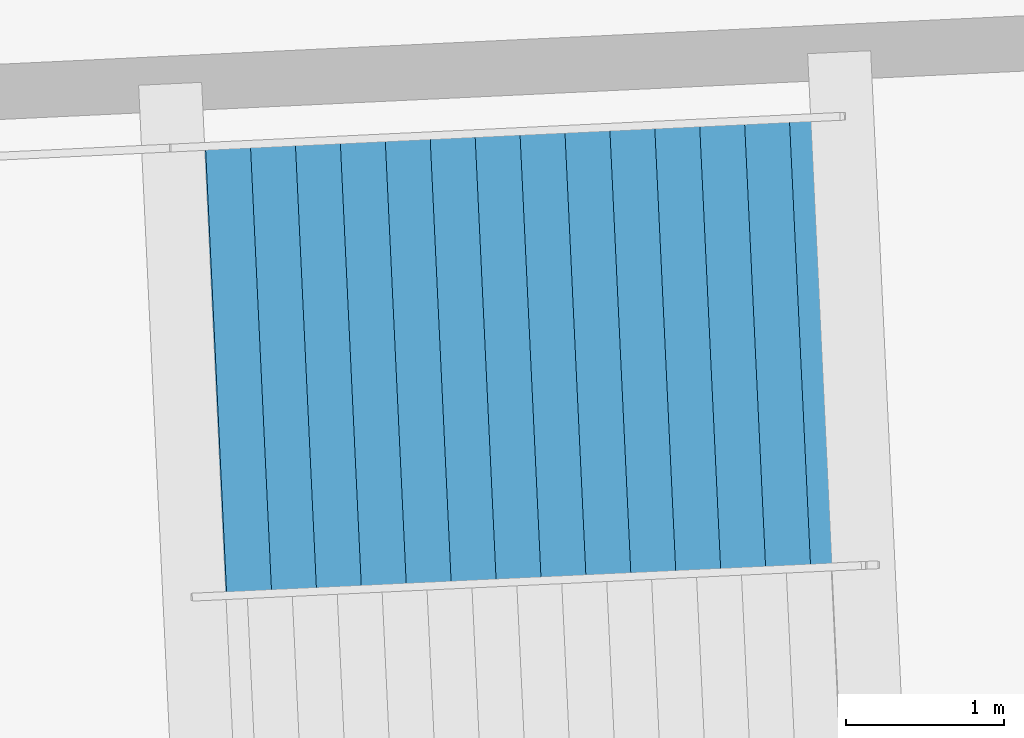
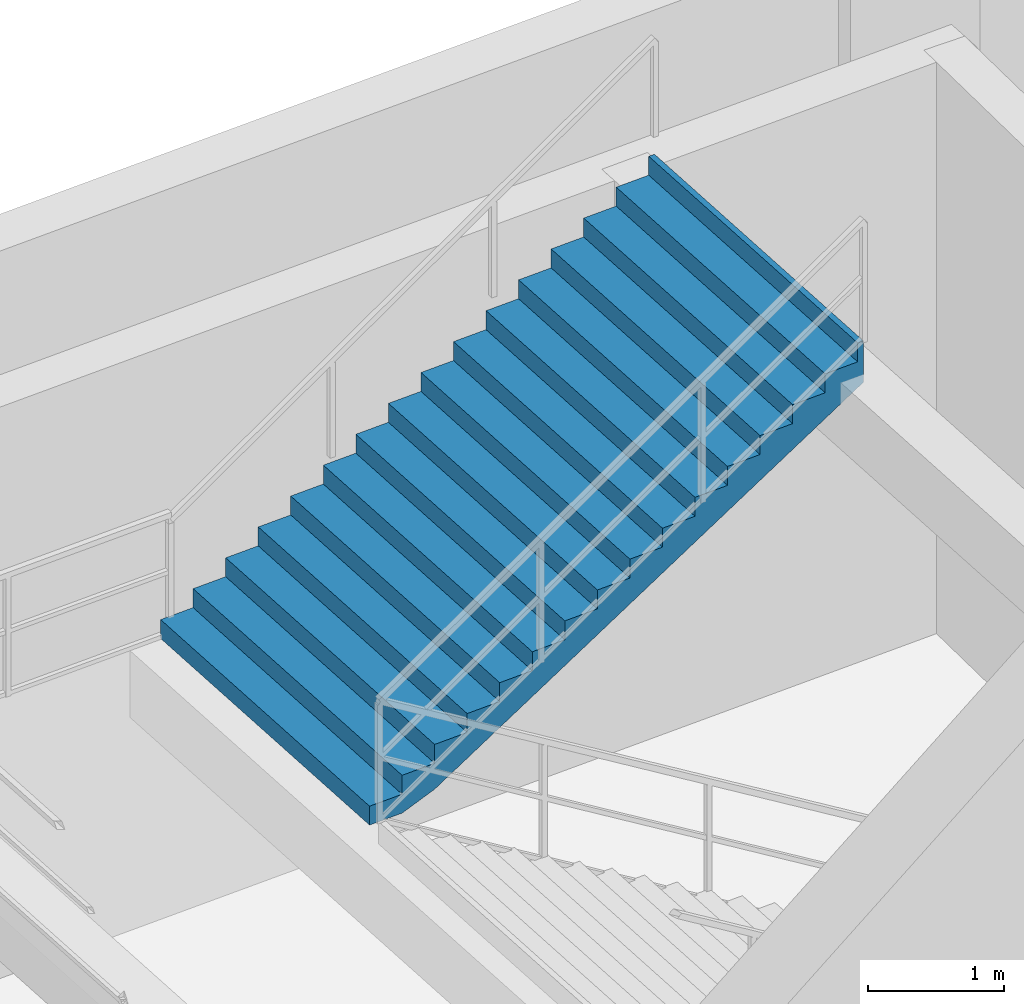
# One storey, part 37 of 49: 1 stair flight, 1 element without a shape of its own.
"""IFC4 building model written with IfcOpenShell, lengths in metres."""

from ifc_helpers import new_model, si_unit, direction, frame, origin, place, context, subcontext, project, spatial, polygons, material, type_object, element, aggregate, save


model = new_model("IFC4")

# Units and contexts
model_context = context("Model", 3, precision=1e-05, world=origin(), true_north=direction((0.0, 1.0)))
body_context = subcontext(model_context, "Body", "Model", "MODEL_VIEW")
ifc_project = project(units=[si_unit("LENGTHUNIT", "METRE"), si_unit("AREAUNIT", "SQUARE_METRE"), si_unit("VOLUMEUNIT", "CUBIC_METRE"), si_unit("PLANEANGLEUNIT", "RADIAN"), si_unit("MASSUNIT", "GRAM", prefix="KILO")], contexts=[model_context])

# Site, building, storey
site_placement = place(None, origin())
site = spatial("IfcSite", under=ifc_project, at=site_placement, CompositionType="ELEMENT")
building_placement = place(site_placement, origin())
building = spatial("IfcBuilding", under=site, at=building_placement, Name="Kazemori Nagisa Stadium", CompositionType="ELEMENT")
storey_placement = place(building_placement, frame((0.0, 0.0, -5.43994140625)))
storey = spatial("IfcBuildingStorey", under=building, at=storey_placement, Name="B1", CompositionType="ELEMENT", Elevation=-5.43994140625)

# Stair, stair flight
ifc_material = material(Name="Concrete C36/45 (Fc36)", Category="concrete")
stair_type = type_object("IfcStairType", Name="Stair_CORE_32", PredefinedType="TWO_STRAIGHT_RUN_STAIR", material=ifc_material)
stair_placement = place(storey_placement, origin())
stair = element("IfcStair", 1, at=stair_placement, inside=storey, type_object=stair_type, Name="Exit stair ST05 B1", PredefinedType="TWO_STRAIGHT_RUN_STAIR")
stair_flight_type = type_object("IfcStairFlightType", Name="Flight_CORE_16", PredefinedType="STRAIGHT", material=ifc_material)
stair_flight_placement = place(storey_placement, frame((114.930419921875, 183.20458984375, 2.719970703125), z_axis=(0.0, 0.0, 1.0), x_axis=(0.99888410244, 0.047228697771, 0.0)))
stair_flight = element("IfcStairFlight", 2, at=stair_flight_placement, type_object=stair_flight_type, Name="Exit stair ST05 B1 flight 2", NumberOfRisers=16, NumberOfTreads=15, PredefinedType="STRAIGHT", RiserHeight=0.17, TreadLength=0.285, context=body_context, shape_type="Tessellation", body=[
    polygons([(0.0, -1.425048828125, 0.0), (0.0, -1.425048828125, 0.169921875), (0.284912109375, -1.425048828125, 0.169921875), (0.284912109375, -1.425048828125, 0.340087890625), (0.570068359375, -1.425048828125, 0.340087890625), (0.570068359375, -1.425048828125, 0.510009765625), (0.85498046875, -1.425048828125, 0.510009765625), (0.85498046875, -1.425048828125, 0.679931640625), (1.139892578125, -1.425048828125, 0.679931640625), (1.139892578125, -1.425048828125, 0.85009765625), (1.425048828125, -1.425048828125, 0.85009765625), (1.425048828125, -1.425048828125, 1.02001953125), (1.7099609375, -1.425048828125, 1.02001953125), (1.7099609375, -1.425048828125, 1.18994140625), (1.9951171875, -1.425048828125, 1.18994140625), (1.9951171875, -1.425048828125, 1.360107421875), (2.280029296875, -1.425048828125, 1.360107421875), (2.280029296875, -1.425048828125, 1.530029296875), (2.56494140625, -1.425048828125, 1.530029296875), (2.56494140625, -1.425048828125, 1.699951171875), (2.85009765625, -1.425048828125, 1.699951171875), (2.85009765625, -1.425048828125, 1.8701171875), (3.135009765625, -1.425048828125, 1.8701171875), (3.135009765625, -1.425048828125, 2.0400390625), (3.419921875, -1.425048828125, 2.0400390625), (3.419921875, -1.425048828125, 2.2099609375), (3.705078125, -1.425048828125, 2.2099609375), (3.705078125, -1.425048828125, 2.3798828125), (3.989990234375, -1.425048828125, 2.3798828125), (3.989990234375, -1.425048828125, 2.550048828125), (4.27490234375, -1.425048828125, 2.550048828125), (4.27490234375, -1.425048828125, 2.719970703125), (4.324951171875, -1.425048828125, 2.719970703125), (4.324951171875, -1.425048828125, 2.346923828125), (4.27490234375, -1.425048828125, 2.317138671875), (3.989990234375, -1.425048828125, 2.147216796875), (3.705078125, -1.425048828125, 1.977294921875), (3.419921875, -1.425048828125, 1.80712890625), (3.135009765625, -1.425048828125, 1.63720703125), (2.85009765625, -1.425048828125, 1.46728515625), (2.56494140625, -1.425048828125, 1.297119140625), (2.280029296875, -1.425048828125, 1.127197265625), (1.9951171875, -1.425048828125, 0.957275390625), (1.7099609375, -1.425048828125, 0.787109375), (1.425048828125, -1.425048828125, 0.6171875), (1.139892578125, -1.425048828125, 0.447265625), (0.85498046875, -1.425048828125, 0.277099609375), (0.570068359375, -1.425048828125, 0.107177734375), (0.284912109375, -1.425048828125, 0.0), (0.0, -0.08544921875, 0.0), (0.0, -0.08544921875, 0.169921875), (0.284912109375, -0.08544921875, 0.169921875), (0.284912109375, -0.08544921875, 0.340087890625), (0.570068359375, -0.08544921875, 0.340087890625), (0.570068359375, -0.08544921875, 0.510009765625), (0.85498046875, -0.08544921875, 0.510009765625), (0.85498046875, -0.08544921875, 0.679931640625), (1.139892578125, -0.08544921875, 0.679931640625), (1.139892578125, -0.08544921875, 0.85009765625), (1.425048828125, -0.08544921875, 0.85009765625), (1.425048828125, -0.08544921875, 1.02001953125), (1.7099609375, -0.08544921875, 1.02001953125), (1.7099609375, -0.08544921875, 1.18994140625), (1.9951171875, -0.08544921875, 1.18994140625), (1.9951171875, -0.08544921875, 1.360107421875), (2.280029296875, -0.08544921875, 1.360107421875), (2.280029296875, -0.08544921875, 1.530029296875), (2.56494140625, -0.08544921875, 1.530029296875), (2.56494140625, -0.08544921875, 1.699951171875), (2.85009765625, -0.08544921875, 1.699951171875), (2.85009765625, -0.08544921875, 1.8701171875), (3.135009765625, -0.08544921875, 1.8701171875), (3.135009765625, -0.08544921875, 2.0400390625), (3.419921875, -0.08544921875, 2.0400390625), (3.419921875, -0.08544921875, 2.2099609375), (3.705078125, -0.08544921875, 2.2099609375), (3.705078125, -0.08544921875, 2.3798828125), (3.989990234375, -0.08544921875, 2.3798828125), (3.989990234375, -0.08544921875, 2.550048828125), (4.27490234375, -0.08544921875, 2.550048828125), (4.27490234375, -0.08544921875, 2.719970703125), (4.324951171875, -0.08544921875, 2.719970703125), (4.324951171875, -0.08544921875, 2.346923828125), (4.27490234375, -0.08544921875, 2.317138671875), (3.989990234375, -0.08544921875, 2.147216796875), (3.705078125, -0.08544921875, 1.977294921875), (3.419921875, -0.08544921875, 1.80712890625), (3.135009765625, -0.08544921875, 1.63720703125), (2.85009765625, -0.08544921875, 1.46728515625), (2.56494140625, -0.08544921875, 1.297119140625), (2.280029296875, -0.08544921875, 1.127197265625), (1.9951171875, -0.08544921875, 0.957275390625), (1.7099609375, -0.08544921875, 0.787109375), (1.425048828125, -0.08544921875, 0.6171875), (1.139892578125, -0.08544921875, 0.447265625), (0.85498046875, -0.08544921875, 0.277099609375), (0.570068359375, -0.08544921875, 0.107177734375), (0.284912109375, -0.08544921875, 0.0), (0.0, 0.0, 0.0), (0.0, 0.0, 0.169921875), (0.284912109375, 0.0, 0.169921875), (0.284912109375, 0.0, 0.340087890625), (0.570068359375, 0.0, 0.340087890625), (0.570068359375, 0.0, 0.510009765625), (0.85498046875, 0.0, 0.510009765625), (0.85498046875, 0.0, 0.679931640625), (1.139892578125, 0.0, 0.679931640625), (1.139892578125, 0.0, 0.85009765625), (1.425048828125, 0.0, 0.85009765625), (1.425048828125, 0.0, 1.02001953125), (1.7099609375, 0.0, 1.02001953125), (1.7099609375, 0.0, 1.18994140625), (1.9951171875, 0.0, 1.18994140625), (1.9951171875, 0.0, 1.360107421875), (2.280029296875, 0.0, 1.360107421875), (2.280029296875, 0.0, 1.530029296875), (2.56494140625, 0.0, 1.530029296875), (2.56494140625, 0.0, 1.699951171875), (2.85009765625, 0.0, 1.699951171875), (2.85009765625, 0.0, 1.8701171875), (3.135009765625, 0.0, 1.8701171875), (3.135009765625, 0.0, 2.0400390625), (3.419921875, 0.0, 2.0400390625), (3.419921875, 0.0, 2.2099609375), (3.705078125, 0.0, 2.2099609375), (3.705078125, 0.0, 2.3798828125), (3.989990234375, 0.0, 2.3798828125), (3.989990234375, 0.0, 2.550048828125), (4.27490234375, 0.0, 2.550048828125), (4.27490234375, 0.0, 2.719970703125), (4.324951171875, 0.0, 2.719970703125), (4.324951171875, 0.0, 2.346923828125), (4.27490234375, 0.0, 2.317138671875), (3.989990234375, 0.0, 2.147216796875), (3.705078125, 0.0, 1.977294921875), (3.419921875, 0.0, 1.80712890625), (3.135009765625, 0.0, 1.63720703125), (2.85009765625, 0.0, 1.46728515625), (2.56494140625, 0.0, 1.297119140625), (2.280029296875, 0.0, 1.127197265625), (1.9951171875, 0.0, 0.957275390625), (1.7099609375, 0.0, 0.787109375), (1.425048828125, 0.0, 0.6171875), (1.139892578125, 0.0, 0.447265625), (0.85498046875, 0.0, 0.277099609375), (0.570068359375, 0.0, 0.107177734375), (0.284912109375, 0.0, 0.0), (0.0, 0.08544921875, 0.0), (0.0, 0.08544921875, 0.169921875), (0.284912109375, 0.08544921875, 0.169921875), (0.284912109375, 0.08544921875, 0.340087890625), (0.570068359375, 0.08544921875, 0.340087890625), (0.570068359375, 0.08544921875, 0.510009765625), (0.85498046875, 0.08544921875, 0.510009765625), (0.85498046875, 0.08544921875, 0.679931640625), (1.139892578125, 0.08544921875, 0.679931640625), (1.139892578125, 0.08544921875, 0.85009765625), (1.425048828125, 0.08544921875, 0.85009765625), (1.425048828125, 0.08544921875, 1.02001953125), (1.7099609375, 0.08544921875, 1.02001953125), (1.7099609375, 0.08544921875, 1.18994140625), (1.9951171875, 0.08544921875, 1.18994140625), (1.9951171875, 0.08544921875, 1.360107421875), (2.280029296875, 0.08544921875, 1.360107421875), (2.280029296875, 0.08544921875, 1.530029296875), (2.56494140625, 0.08544921875, 1.530029296875), (2.56494140625, 0.08544921875, 1.699951171875), (2.85009765625, 0.08544921875, 1.699951171875), (2.85009765625, 0.08544921875, 1.8701171875), (3.135009765625, 0.08544921875, 1.8701171875), (3.135009765625, 0.08544921875, 2.0400390625), (3.419921875, 0.08544921875, 2.0400390625), (3.419921875, 0.08544921875, 2.2099609375), (3.705078125, 0.08544921875, 2.2099609375), (3.705078125, 0.08544921875, 2.3798828125), (3.989990234375, 0.08544921875, 2.3798828125), (3.989990234375, 0.08544921875, 2.550048828125), (4.27490234375, 0.08544921875, 2.550048828125), (4.27490234375, 0.08544921875, 2.719970703125), (4.324951171875, 0.08544921875, 2.719970703125), (4.324951171875, 0.08544921875, 2.346923828125), (4.27490234375, 0.08544921875, 2.317138671875), (3.989990234375, 0.08544921875, 2.147216796875), (3.705078125, 0.08544921875, 1.977294921875), (3.419921875, 0.08544921875, 1.80712890625), (3.135009765625, 0.08544921875, 1.63720703125), (2.85009765625, 0.08544921875, 1.46728515625), (2.56494140625, 0.08544921875, 1.297119140625), (2.280029296875, 0.08544921875, 1.127197265625), (1.9951171875, 0.08544921875, 0.957275390625), (1.7099609375, 0.08544921875, 0.787109375), (1.425048828125, 0.08544921875, 0.6171875), (1.139892578125, 0.08544921875, 0.447265625), (0.85498046875, 0.08544921875, 0.277099609375), (0.570068359375, 0.08544921875, 0.107177734375), (0.284912109375, 0.08544921875, 0.0), (0.0, 1.425048828125, 0.0), (0.0, 1.425048828125, 0.169921875), (0.284912109375, 1.425048828125, 0.169921875), (0.284912109375, 1.425048828125, 0.340087890625), (0.570068359375, 1.425048828125, 0.340087890625), (0.570068359375, 1.425048828125, 0.510009765625), (0.85498046875, 1.425048828125, 0.510009765625), (0.85498046875, 1.425048828125, 0.679931640625), (1.139892578125, 1.425048828125, 0.679931640625), (1.139892578125, 1.425048828125, 0.85009765625), (1.425048828125, 1.425048828125, 0.85009765625), (1.425048828125, 1.425048828125, 1.02001953125), (1.7099609375, 1.425048828125, 1.02001953125), (1.7099609375, 1.425048828125, 1.18994140625), (1.9951171875, 1.425048828125, 1.18994140625), (1.9951171875, 1.425048828125, 1.360107421875), (2.280029296875, 1.425048828125, 1.360107421875), (2.280029296875, 1.425048828125, 1.530029296875), (2.56494140625, 1.425048828125, 1.530029296875), (2.56494140625, 1.425048828125, 1.699951171875), (2.85009765625, 1.425048828125, 1.699951171875), (2.85009765625, 1.425048828125, 1.8701171875), (3.135009765625, 1.425048828125, 1.8701171875), (3.135009765625, 1.425048828125, 2.0400390625), (3.419921875, 1.425048828125, 2.0400390625), (3.419921875, 1.425048828125, 2.2099609375), (3.705078125, 1.425048828125, 2.2099609375), (3.705078125, 1.425048828125, 2.3798828125), (3.989990234375, 1.425048828125, 2.3798828125), (3.989990234375, 1.425048828125, 2.550048828125), (4.27490234375, 1.425048828125, 2.550048828125), (4.27490234375, 1.425048828125, 2.719970703125), (4.324951171875, 1.425048828125, 2.719970703125), (4.324951171875, 1.425048828125, 2.346923828125), (4.27490234375, 1.425048828125, 2.317138671875), (3.989990234375, 1.425048828125, 2.147216796875), (3.705078125, 1.425048828125, 1.977294921875), (3.419921875, 1.425048828125, 1.80712890625), (3.135009765625, 1.425048828125, 1.63720703125), (2.85009765625, 1.425048828125, 1.46728515625), (2.56494140625, 1.425048828125, 1.297119140625), (2.280029296875, 1.425048828125, 1.127197265625), (1.9951171875, 1.425048828125, 0.957275390625), (1.7099609375, 1.425048828125, 0.787109375), (1.425048828125, 1.425048828125, 0.6171875), (1.139892578125, 1.425048828125, 0.447265625), (0.85498046875, 1.425048828125, 0.277099609375), (0.570068359375, 1.425048828125, 0.107177734375), (0.284912109375, 1.425048828125, 0.0)], [[[1, 2, 51]], [[1, 51, 50]], [[2, 3, 52]], [[2, 52, 51]], [[3, 4, 53]], [[3, 53, 52]], [[4, 5, 54]], [[4, 54, 53]], [[5, 6, 55]], [[5, 55, 54]], [[6, 7, 56]], [[6, 56, 55]], [[7, 8, 57]], [[7, 57, 56]], [[8, 9, 58]], [[8, 58, 57]], [[9, 10, 59]], [[9, 59, 58]], [[10, 11, 60]], [[10, 60, 59]], [[11, 12, 61]], [[11, 61, 60]], [[12, 13, 62]], [[12, 62, 61]], [[13, 14, 63]], [[13, 63, 62]], [[14, 15, 64]], [[14, 64, 63]], [[15, 16, 65]], [[15, 65, 64]], [[16, 17, 66]], [[16, 66, 65]], [[17, 18, 67]], [[17, 67, 66]], [[18, 19, 68]], [[18, 68, 67]], [[19, 20, 69]], [[19, 69, 68]], [[20, 21, 70]], [[20, 70, 69]], [[21, 22, 71]], [[21, 71, 70]], [[22, 23, 72]], [[22, 72, 71]], [[23, 24, 73]], [[23, 73, 72]], [[24, 25, 74]], [[24, 74, 73]], [[25, 26, 75]], [[25, 75, 74]], [[26, 27, 76]], [[26, 76, 75]], [[27, 28, 77]], [[27, 77, 76]], [[28, 29, 78]], [[28, 78, 77]], [[29, 30, 79]], [[29, 79, 78]], [[30, 31, 80]], [[30, 80, 79]], [[31, 32, 81]], [[31, 81, 80]], [[32, 33, 82]], [[32, 82, 81]], [[33, 34, 83]], [[33, 83, 82]], [[34, 35, 84]], [[34, 84, 83]], [[35, 36, 85]], [[35, 85, 84]], [[36, 37, 86]], [[36, 86, 85]], [[37, 38, 87]], [[37, 87, 86]], [[38, 39, 88]], [[38, 88, 87]], [[39, 40, 89]], [[39, 89, 88]], [[40, 41, 90]], [[40, 90, 89]], [[41, 42, 91]], [[41, 91, 90]], [[42, 43, 92]], [[42, 92, 91]], [[43, 44, 93]], [[43, 93, 92]], [[44, 45, 94]], [[44, 94, 93]], [[45, 46, 95]], [[45, 95, 94]], [[46, 47, 96]], [[46, 96, 95]], [[47, 48, 97]], [[47, 97, 96]], [[48, 49, 98]], [[48, 98, 97]], [[49, 1, 50]], [[49, 50, 98]], [[50, 51, 100]], [[50, 100, 99]], [[51, 52, 101]], [[51, 101, 100]], [[52, 53, 102]], [[52, 102, 101]], [[53, 54, 103]], [[53, 103, 102]], [[54, 55, 104]], [[54, 104, 103]], [[55, 56, 105]], [[55, 105, 104]], [[56, 57, 106]], [[56, 106, 105]], [[57, 58, 107]], [[57, 107, 106]], [[58, 59, 108]], [[58, 108, 107]], [[59, 60, 109]], [[59, 109, 108]], [[60, 61, 110]], [[60, 110, 109]], [[61, 62, 111]], [[61, 111, 110]], [[62, 63, 112]], [[62, 112, 111]], [[63, 64, 113]], [[63, 113, 112]], [[64, 65, 114]], [[64, 114, 113]], [[65, 66, 115]], [[65, 115, 114]], [[66, 67, 116]], [[66, 116, 115]], [[67, 68, 117]], [[67, 117, 116]], [[68, 69, 118]], [[68, 118, 117]], [[69, 70, 119]], [[69, 119, 118]], [[70, 71, 120]], [[70, 120, 119]], [[71, 72, 121]], [[71, 121, 120]], [[72, 73, 122]], [[72, 122, 121]], [[73, 74, 123]], [[73, 123, 122]], [[74, 75, 124]], [[74, 124, 123]], [[75, 76, 125]], [[75, 125, 124]], [[76, 77, 126]], [[76, 126, 125]], [[77, 78, 127]], [[77, 127, 126]], [[78, 79, 128]], [[78, 128, 127]], [[79, 80, 129]], [[79, 129, 128]], [[80, 81, 130]], [[80, 130, 129]], [[81, 82, 131]], [[81, 131, 130]], [[82, 83, 132]], [[82, 132, 131]], [[83, 84, 133]], [[83, 133, 132]], [[84, 85, 134]], [[84, 134, 133]], [[85, 86, 135]], [[85, 135, 134]], [[86, 87, 136]], [[86, 136, 135]], [[87, 88, 137]], [[87, 137, 136]], [[88, 89, 138]], [[88, 138, 137]], [[89, 90, 139]], [[89, 139, 138]], [[90, 91, 140]], [[90, 140, 139]], [[91, 92, 141]], [[91, 141, 140]], [[92, 93, 142]], [[92, 142, 141]], [[93, 94, 143]], [[93, 143, 142]], [[94, 95, 144]], [[94, 144, 143]], [[95, 96, 145]], [[95, 145, 144]], [[96, 97, 146]], [[96, 146, 145]], [[97, 98, 147]], [[97, 147, 146]], [[98, 50, 99]], [[98, 99, 147]], [[99, 100, 149]], [[99, 149, 148]], [[100, 101, 150]], [[100, 150, 149]], [[101, 102, 151]], [[101, 151, 150]], [[102, 103, 152]], [[102, 152, 151]], [[103, 104, 153]], [[103, 153, 152]], [[104, 105, 154]], [[104, 154, 153]], [[105, 106, 155]], [[105, 155, 154]], [[106, 107, 156]], [[106, 156, 155]], [[107, 108, 157]], [[107, 157, 156]], [[108, 109, 158]], [[108, 158, 157]], [[109, 110, 159]], [[109, 159, 158]], [[110, 111, 160]], [[110, 160, 159]], [[111, 112, 161]], [[111, 161, 160]], [[112, 113, 162]], [[112, 162, 161]], [[113, 114, 163]], [[113, 163, 162]], [[114, 115, 164]], [[114, 164, 163]], [[115, 116, 165]], [[115, 165, 164]], [[116, 117, 166]], [[116, 166, 165]], [[117, 118, 167]], [[117, 167, 166]], [[118, 119, 168]], [[118, 168, 167]], [[119, 120, 169]], [[119, 169, 168]], [[120, 121, 170]], [[120, 170, 169]], [[121, 122, 171]], [[121, 171, 170]], [[122, 123, 172]], [[122, 172, 171]], [[123, 124, 173]], [[123, 173, 172]], [[124, 125, 174]], [[124, 174, 173]], [[125, 126, 175]], [[125, 175, 174]], [[126, 127, 176]], [[126, 176, 175]], [[127, 128, 177]], [[127, 177, 176]], [[128, 129, 178]], [[128, 178, 177]], [[129, 130, 179]], [[129, 179, 178]], [[130, 131, 180]], [[130, 180, 179]], [[131, 132, 181]], [[131, 181, 180]], [[132, 133, 182]], [[132, 182, 181]], [[133, 134, 183]], [[133, 183, 182]], [[134, 135, 184]], [[134, 184, 183]], [[135, 136, 185]], [[135, 185, 184]], [[136, 137, 186]], [[136, 186, 185]], [[137, 138, 187]], [[137, 187, 186]], [[138, 139, 188]], [[138, 188, 187]], [[139, 140, 189]], [[139, 189, 188]], [[140, 141, 190]], [[140, 190, 189]], [[141, 142, 191]], [[141, 191, 190]], [[142, 143, 192]], [[142, 192, 191]], [[143, 144, 193]], [[143, 193, 192]], [[144, 145, 194]], [[144, 194, 193]], [[145, 146, 195]], [[145, 195, 194]], [[146, 147, 196]], [[146, 196, 195]], [[147, 99, 148]], [[147, 148, 196]], [[148, 149, 198]], [[148, 198, 197]], [[149, 150, 199]], [[149, 199, 198]], [[150, 151, 200]], [[150, 200, 199]], [[151, 152, 201]], [[151, 201, 200]], [[152, 153, 202]], [[152, 202, 201]], [[153, 154, 203]], [[153, 203, 202]], [[154, 155, 204]], [[154, 204, 203]], [[155, 156, 205]], [[155, 205, 204]], [[156, 157, 206]], [[156, 206, 205]], [[157, 158, 207]], [[157, 207, 206]], [[158, 159, 208]], [[158, 208, 207]], [[159, 160, 209]], [[159, 209, 208]], [[160, 161, 210]], [[160, 210, 209]], [[161, 162, 211]], [[161, 211, 210]], [[162, 163, 212]], [[162, 212, 211]], [[163, 164, 213]], [[163, 213, 212]], [[164, 165, 214]], [[164, 214, 213]], [[165, 166, 215]], [[165, 215, 214]], [[166, 167, 216]], [[166, 216, 215]], [[167, 168, 217]], [[167, 217, 216]], [[168, 169, 218]], [[168, 218, 217]], [[169, 170, 219]], [[169, 219, 218]], [[170, 171, 220]], [[170, 220, 219]], [[171, 172, 221]], [[171, 221, 220]], [[172, 173, 222]], [[172, 222, 221]], [[173, 174, 223]], [[173, 223, 222]], [[174, 175, 224]], [[174, 224, 223]], [[175, 176, 225]], [[175, 225, 224]], [[176, 177, 226]], [[176, 226, 225]], [[177, 178, 227]], [[177, 227, 226]], [[178, 179, 228]], [[178, 228, 227]], [[179, 180, 229]], [[179, 229, 228]], [[180, 181, 230]], [[180, 230, 229]], [[181, 182, 231]], [[181, 231, 230]], [[182, 183, 232]], [[182, 232, 231]], [[183, 184, 233]], [[183, 233, 232]], [[184, 185, 234]], [[184, 234, 233]], [[185, 186, 235]], [[185, 235, 234]], [[186, 187, 236]], [[186, 236, 235]], [[187, 188, 237]], [[187, 237, 236]], [[188, 189, 238]], [[188, 238, 237]], [[189, 190, 239]], [[189, 239, 238]], [[190, 191, 240]], [[190, 240, 239]], [[191, 192, 241]], [[191, 241, 240]], [[192, 193, 242]], [[192, 242, 241]], [[193, 194, 243]], [[193, 243, 242]], [[194, 195, 244]], [[194, 244, 243]], [[195, 196, 245]], [[195, 245, 244]], [[196, 148, 197]], [[196, 197, 245]], [[3, 2, 1]], [[197, 198, 199]], [[49, 3, 1]], [[197, 199, 245]], [[48, 3, 49]], [[245, 199, 244]], [[5, 3, 48]], [[244, 199, 201]], [[5, 4, 3]], [[199, 200, 201]], [[47, 5, 48]], [[244, 201, 243]], [[7, 5, 47]], [[243, 201, 203]], [[7, 6, 5]], [[201, 202, 203]], [[46, 7, 47]], [[243, 203, 242]], [[9, 7, 46]], [[242, 203, 205]], [[9, 8, 7]], [[203, 204, 205]], [[45, 9, 46]], [[242, 205, 241]], [[11, 9, 45]], [[241, 205, 207]], [[11, 10, 9]], [[205, 206, 207]], [[44, 11, 45]], [[241, 207, 240]], [[13, 11, 44]], [[240, 207, 209]], [[13, 12, 11]], [[207, 208, 209]], [[43, 13, 44]], [[240, 209, 239]], [[15, 13, 43]], [[239, 209, 211]], [[15, 14, 13]], [[209, 210, 211]], [[42, 15, 43]], [[239, 211, 238]], [[17, 15, 42]], [[238, 211, 213]], [[17, 16, 15]], [[211, 212, 213]], [[41, 17, 42]], [[238, 213, 237]], [[19, 17, 41]], [[237, 213, 215]], [[19, 18, 17]], [[213, 214, 215]], [[40, 19, 41]], [[237, 215, 236]], [[21, 19, 40]], [[236, 215, 217]], [[21, 20, 19]], [[215, 216, 217]], [[39, 21, 40]], [[236, 217, 235]], [[23, 21, 39]], [[235, 217, 219]], [[23, 22, 21]], [[217, 218, 219]], [[38, 23, 39]], [[235, 219, 234]], [[25, 23, 38]], [[234, 219, 221]], [[25, 24, 23]], [[219, 220, 221]], [[37, 25, 38]], [[234, 221, 233]], [[27, 25, 37]], [[233, 221, 223]], [[27, 26, 25]], [[221, 222, 223]], [[36, 27, 37]], [[233, 223, 232]], [[29, 27, 36]], [[232, 223, 225]], [[29, 28, 27]], [[223, 224, 225]], [[35, 29, 36]], [[232, 225, 231]], [[31, 29, 35]], [[231, 225, 227]], [[31, 30, 29]], [[225, 226, 227]], [[34, 31, 35]], [[231, 227, 230]], [[33, 31, 34]], [[230, 227, 229]], [[33, 32, 31]], [[227, 228, 229]]], closed=True),
])
aggregate(stair, [stair_flight])

save(model, "model.ifc")
